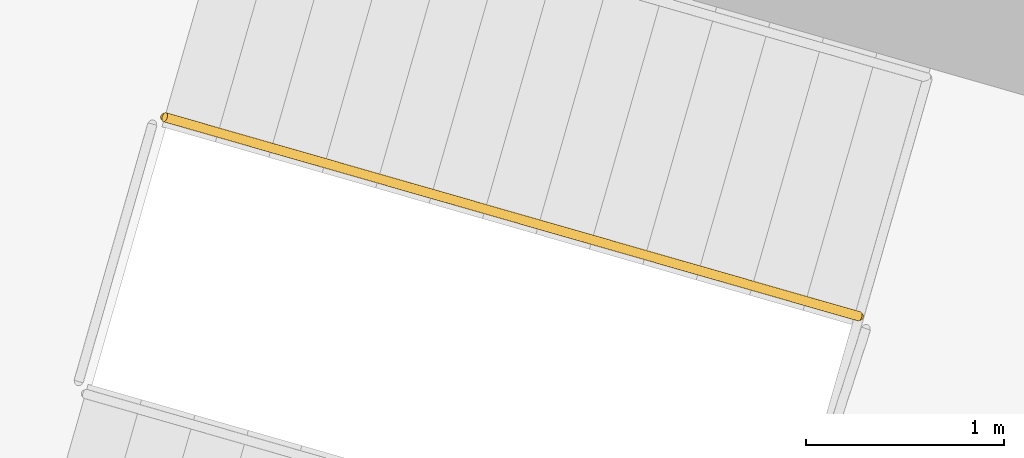
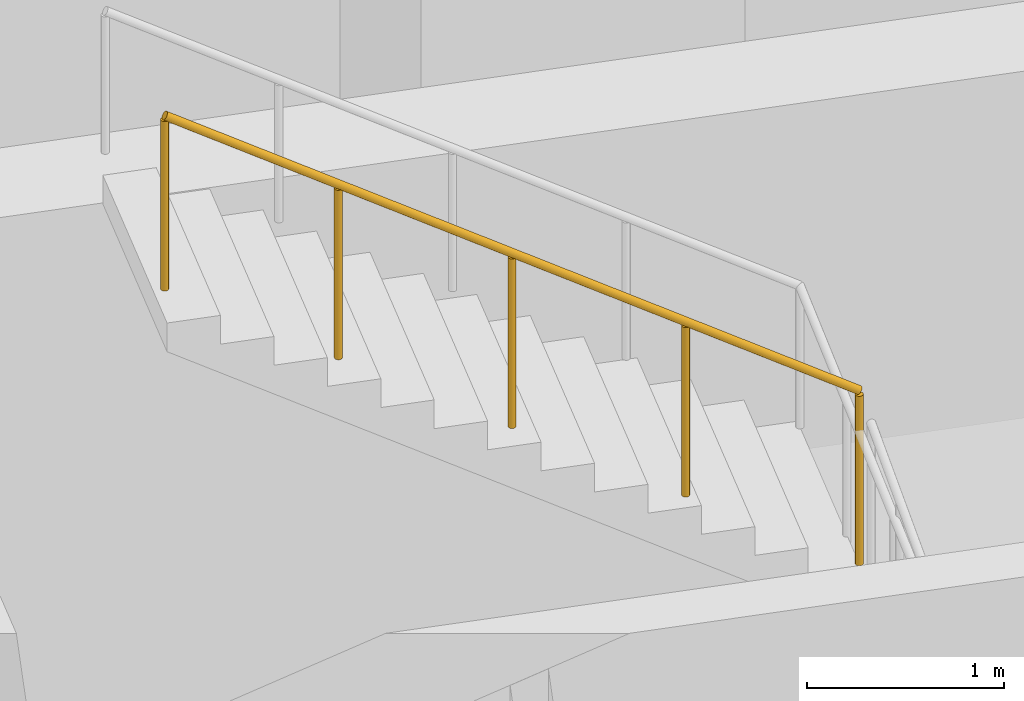
# One storey, part 18 of 18: 1 railing.
"""IFC4 building model written with IfcOpenShell, lengths in metres."""

from ifc_helpers import new_model, si_unit, direction, frame, origin, origin_2d, place, context, subcontext, project, spatial, circle, extrude, material, type_object, element, save


model = new_model("IFC4")

# Units and contexts
model_context = context("Model", 3, precision=1e-05, world=origin(), true_north=direction((0.0, 1.0)))
body_context = subcontext(model_context, "Body", "Model", "MODEL_VIEW")
ifc_project = project(units=[si_unit("LENGTHUNIT", "METRE"), si_unit("AREAUNIT", "SQUARE_METRE"), si_unit("VOLUMEUNIT", "CUBIC_METRE"), si_unit("PLANEANGLEUNIT", "RADIAN"), si_unit("MASSUNIT", "GRAM", prefix="KILO")], contexts=[model_context])

# Site, building, storey
site_placement = place(None, origin())
site = spatial("IfcSite", under=ifc_project, at=site_placement, CompositionType="ELEMENT")
building_placement = place(site_placement, origin())
building = spatial("IfcBuilding", under=site, at=building_placement, Name="Binnacle Exchange Tower", CompositionType="ELEMENT")
storey_placement = place(building_placement, frame((0.0, 0.0, 6.5)))
storey = spatial("IfcBuildingStorey", under=building, at=storey_placement, Name="L01", CompositionType="ELEMENT", Elevation=6.5)

# Railing
ifc_material = material(Name="Steel guard rail", Category="steel")
railing_type = type_object("IfcRailingType", Name="STAIR GUARD 1100", PredefinedType="GUARDRAIL", material=ifc_material)
railing_placement = place(storey_placement, frame((24.9853515625, 57.100830078125, 2.678466796875)))
element("IfcRailing", 1, at=railing_placement, inside=storey, type_object=railing_type, Name="L01 STD1 stair guard 2", PredefinedType="GUARDRAIL", context=body_context, shape_type="SweptSolid", body=[
    extrude(circle(Radius=0.02392578125, at=origin_2d()), frame((0.0, 0.0, 1.076171875), z_axis=(-0.810455892038, 0.232415135102, 0.537721537635), x_axis=(-0.275659984683, -0.961255206927, 0.0)), (0.0, 0.0, 1.0), 4.3173828125),
    extrude(circle(Radius=0.02099609375, at=origin_2d()), origin(), (0.0, 0.0, 1.0), 1.052001953125),
    extrude(circle(Radius=0.02099609375, at=origin_2d()), frame((-0.874755859375, 0.2509765625, 0.580322265625)), (0.0, 0.0, 1.0), 1.052001953125),
    extrude(circle(Radius=0.02099609375, at=origin_2d()), frame((-1.74951171875, 0.501708984375, 1.16064453125)), (0.0, 0.0, 1.0), 1.052001953125),
    extrude(circle(Radius=0.02099609375, at=origin_2d()), frame((-2.624267578125, 0.75244140625, 1.7412109375)), (0.0, 0.0, 1.0), 1.052001953125),
    extrude(circle(Radius=0.02099609375, at=origin_2d()), frame((-3.4990234375, 1.00341796875, 2.321533203125)), (0.0, 0.0, 1.0), 1.052001953125),
])

save(model, "model.ifc")
